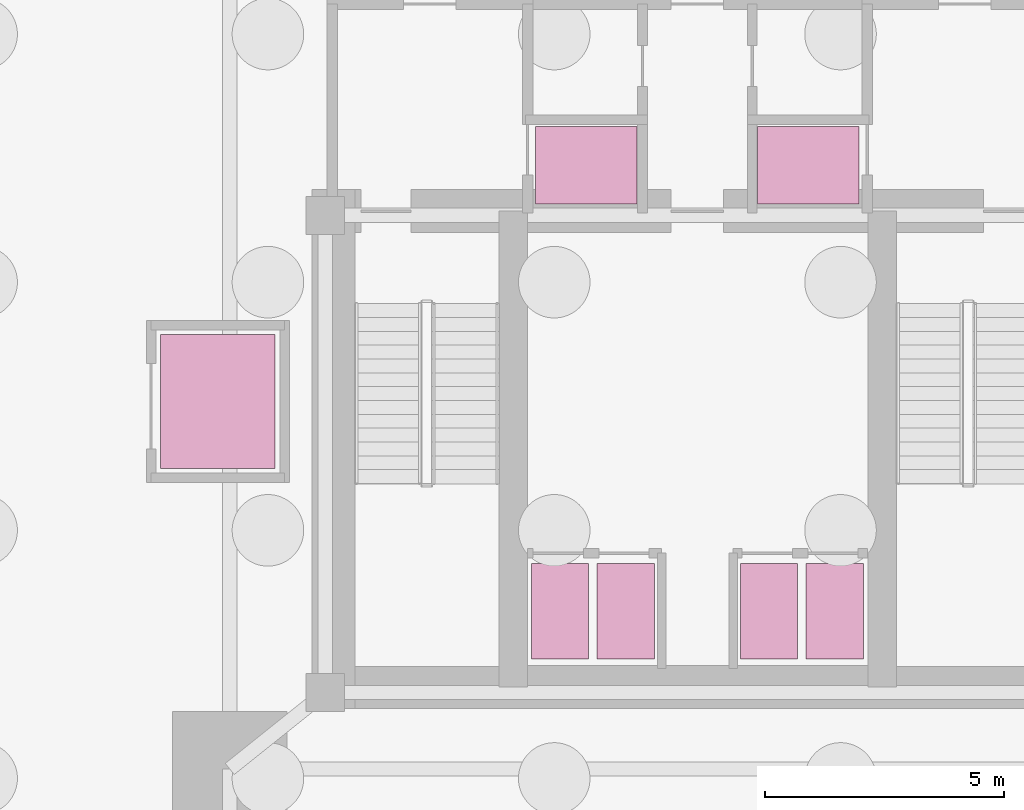
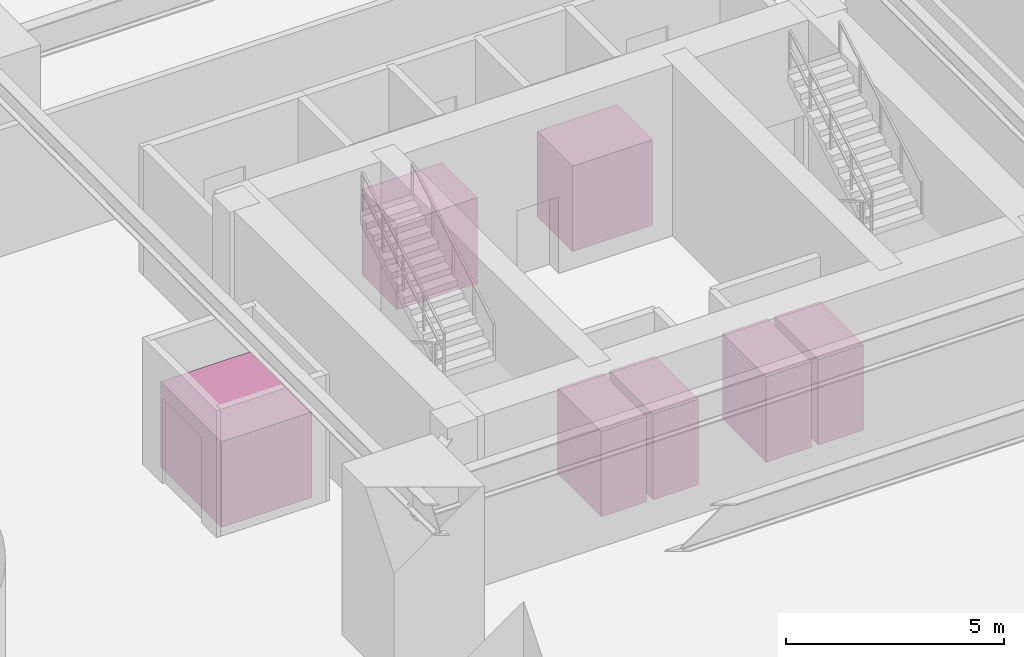
# One storey, part 8 of 8: 7 transport elements.
"""IFC4 building model written with IfcOpenShell, lengths in metres."""

from ifc_helpers import new_model, si_unit, direction, frame, origin, origin_2d, place, context, subcontext, project, spatial, rectangle, extrude, material, type_object, element, save


model = new_model("IFC4")

# Units and contexts
model_context = context("Model", 3, precision=1e-05, world=origin(), true_north=direction((0.0, 1.0)))
body_context = subcontext(model_context, "Body", "Model", "MODEL_VIEW")
ifc_project = project(units=[si_unit("LENGTHUNIT", "METRE"), si_unit("AREAUNIT", "SQUARE_METRE"), si_unit("VOLUMEUNIT", "CUBIC_METRE"), si_unit("PLANEANGLEUNIT", "RADIAN"), si_unit("MASSUNIT", "GRAM", prefix="KILO"), si_unit("THERMODYNAMICTEMPERATUREUNIT", "KELVIN"), si_unit("POWERUNIT", "WATT")], contexts=[model_context])

# Site, building, storey
site_placement = place(None, origin())
site = spatial("IfcSite", under=ifc_project, at=site_placement, CompositionType="ELEMENT")
building_placement = place(site_placement, origin())
building = spatial("IfcBuilding", under=site, at=building_placement, Name="Ocrelia Relay Tower", CompositionType="ELEMENT")
storey_placement = place(building_placement, frame((0.0, 0.0, -9.60009765625)))
storey = spatial("IfcBuildingStorey", under=building, at=storey_placement, Name="B2", CompositionType="ELEMENT", Elevation=-9.60009765625)

# Transport elements
ifc_material_1 = material(Name="Fire-rated stainless steel firefighting cab", Category="steel")
transport_element_type_1 = type_object("IfcTransportElementType", Name="LIFT-FFL-2000", PredefinedType="ELEVATOR", material=ifc_material_1)
for number, where, z_axis, x_axis, name in (
    (1, (31.675048828125, 31.050048828125, 0.000244140625), (0.0, 0.0, 1.0), (1.0, 0.0, 0.0), "Firefighting Lift FFL1 Car"),
    (2, (36.324951171875, 31.050048828125, 0.000244140625), (0.0, 0.0, 1.0), (1.0, 0.0, 0.0), "Firefighting Lift FFL2 Car"),
):
    element("IfcTransportElement", number, at=place(storey_placement, frame(where, z_axis=z_axis, x_axis=x_axis)), inside=storey, type_object=transport_element_type_1, Name=name, PredefinedType="ELEVATOR", context=body_context, shape_type="SweptSolid", body=[
        extrude(rectangle(XDim=2.125, YDim=1.625, at=origin_2d()), origin(), (0.0, 0.0, 1.0), 2.39990234375),
    ])
ifc_material_2 = material(Name="Heavy-duty steel goods elevator cab", Category="steel")
transport_element_type_2 = type_object("IfcTransportElementType", Name="LIFT-GOODS-4500", PredefinedType="ELEVATOR", material=ifc_material_2)
transport_element_placement = place(storey_placement, frame((23.949951171875, 26.10009765625, 0.000244140625), z_axis=(0.0, 0.0, 1.0), x_axis=(1.0, 0.0, 0.0)))
element("IfcTransportElement", 3, at=transport_element_placement, inside=storey, type_object=transport_element_type_2, Name="Goods Lift GL1 Car", PredefinedType="ELEVATOR", context=body_context, shape_type="SweptSolid", body=[
    extrude(rectangle(XDim=2.39990234375, YDim=2.800048828125, at=origin_2d()), origin(), (0.0, 0.0, 1.0), 2.39990234375),
])
ifc_material_3 = material(Name="Stainless steel elevator cab", Category="steel")
transport_element_type_3 = type_object("IfcTransportElementType", Name="LIFT-PASS-1800", PredefinedType="ELEVATOR", material=ifc_material_3)
for number, where, z_axis, x_axis, name in (
    (4, (31.1201171875, 21.699951171875, 0.000244140625), (0.0, 0.0, 1.0), (1.0, 0.0, 0.0), "Passenger Lift PL1 Car"),
    (5, (32.5, 21.699951171875, 0.000244140625), (0.0, 0.0, 1.0), (1.0, 0.0, 0.0), "Passenger Lift PL2 Car"),
    (6, (35.5, 21.699951171875, 0.000244140625), (0.0, 0.0, 1.0), (1.0, 0.0, 0.0), "Passenger Lift PL3 Car"),
    (7, (36.8798828125, 21.699951171875, 0.000244140625), (0.0, 0.0, 1.0), (1.0, 0.0, 0.0), "Passenger Lift PL4 Car"),
):
    element("IfcTransportElement", number, at=place(storey_placement, frame(where, z_axis=z_axis, x_axis=x_axis)), inside=storey, type_object=transport_element_type_3, Name=name, PredefinedType="ELEVATOR", context=body_context, shape_type="SweptSolid", body=[
        extrude(rectangle(XDim=1.199951171875, YDim=2.0, at=origin_2d()), origin(), (0.0, 0.0, 1.0), 2.39990234375),
    ])

save(model, "model.ifc")
